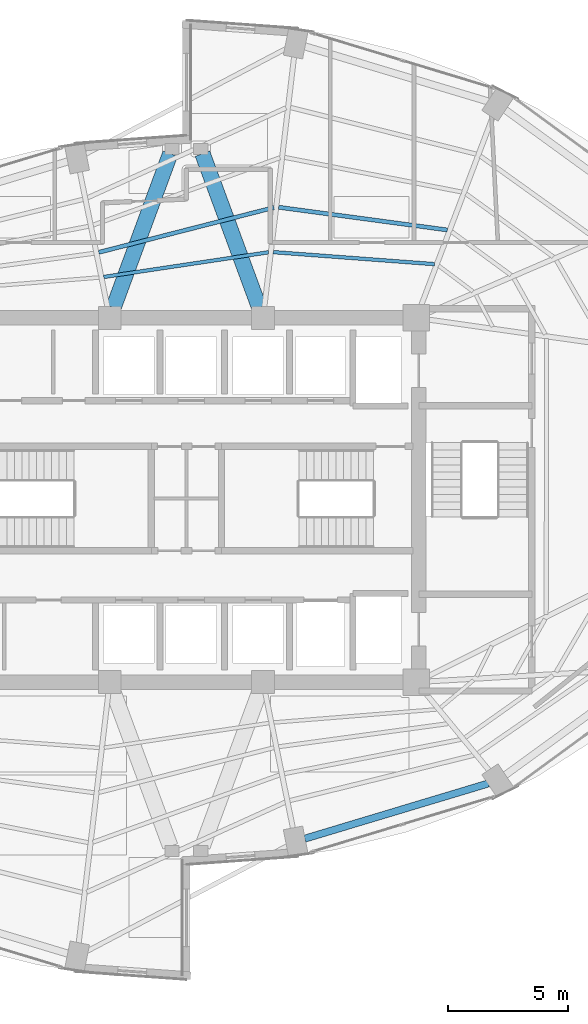
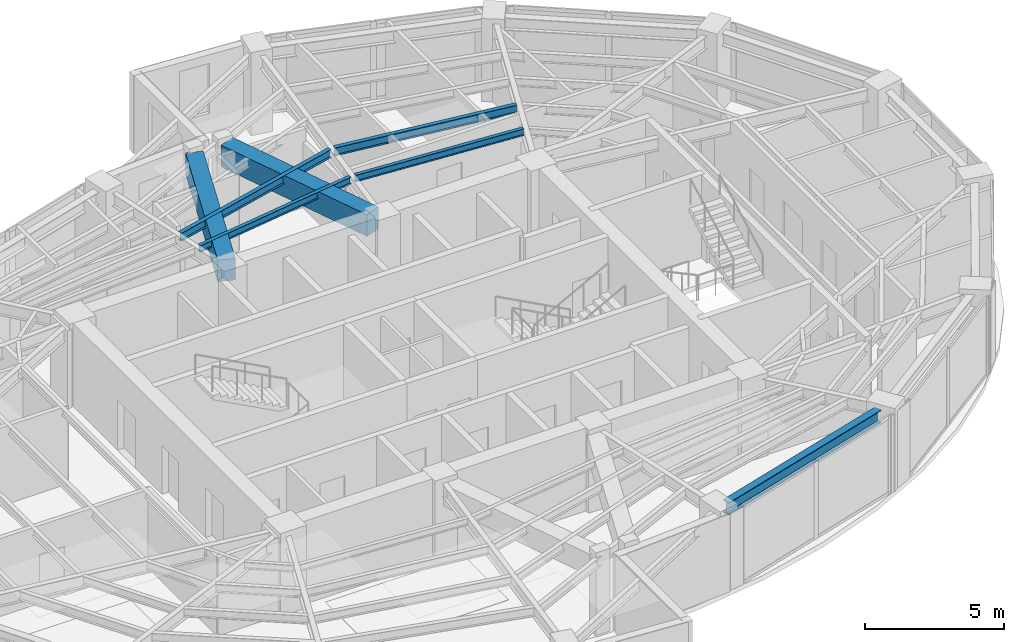
# One storey, part 8 of 20: 7 beams.
"""IFC4 building model written with IfcOpenShell, lengths in metres."""

from ifc_helpers import new_model, si_unit, direction, frame, origin, origin_2d, place, context, subcontext, project, spatial, rectangle, i_section, extrude, material, material_profile, profile_set, type_object, element, save


model = new_model("IFC4")

# Units and contexts
model_context = context("Model", 3, precision=1e-05, world=origin(), true_north=direction((0.0, 1.0)))
body_context = subcontext(model_context, "Body", "Model", "MODEL_VIEW")
ifc_project = project(units=[si_unit("LENGTHUNIT", "METRE"), si_unit("AREAUNIT", "SQUARE_METRE"), si_unit("VOLUMEUNIT", "CUBIC_METRE"), si_unit("PLANEANGLEUNIT", "RADIAN"), si_unit("MASSUNIT", "GRAM", prefix="KILO")], contexts=[model_context])

# Site, building, storey
site_placement = place(None, origin())
site = spatial("IfcSite", under=ifc_project, at=site_placement, CompositionType="ELEMENT")
building_placement = place(site_placement, origin())
building = spatial("IfcBuilding", under=site, at=building_placement, Name="Lazwardi Medical Tower", CompositionType="ELEMENT")
storey_placement = place(building_placement, frame((0.0, 0.0, 160.176025390625)))
storey = spatial("IfcBuildingStorey", under=building, at=storey_placement, Name="L41", CompositionType="ELEMENT", Elevation=160.176025390625)

# Beams
ifc_material_1 = material(Name="Concrete C60/75", Category="concrete")
ifc_material_profile_1 = material_profile(ifc_material_1, rectangle(XDim=0.64990234375, YDim=0.949951171875, at=origin_2d()), Name="RC 650x950")
ifc_profile_set_1 = profile_set([ifc_material_profile_1], Name="Concrete C60/75")
beam_type_1 = type_object("IfcBeamType", Name="BM-CB-RC2", PredefinedType="LINTEL", material=ifc_profile_set_1)
for number, where, z_axis, x_axis, name in (
    (1, (32.959228515625, 36.031494140625, 2.952880859375), (0.34601281054, 0.938229787921, 0.0), (-0.938229787921, 0.34601281054, 0.0), "Core coupling lintel CB-02 PL1 L41"),
    (2, (39.040771484375, 36.031494140625, 2.952880859375), (-0.34601281054, 0.938229787921, 0.0), (-0.938229787921, -0.34601281054, 0.0), "Core coupling lintel CB-02 PL2 L41"),
):
    element("IfcBeam", number, at=place(storey_placement, frame(where, z_axis=z_axis, x_axis=x_axis)), inside=storey, type_object=beam_type_1, Name=name, PredefinedType="LINTEL", context=body_context, shape_type="SweptSolid", body=[
        extrude(rectangle(XDim=0.64990234375, YDim=0.949951171875, at=origin_2d()), origin(), (0.0, 0.0, 1.0), 6.84423828125),
    ])
ifc_material_2 = material(Name="Steel S355", Category="steel")
ifc_material_profile_2 = material_profile(ifc_material_2, i_section(OverallWidth=0.300048828125, OverallDepth=0.550048828125, WebThickness=0.014892578125, FlangeThickness=0.029052734375, at=origin_2d()), Name="HEB 550")
ifc_profile_set_2 = profile_set([ifc_material_profile_2], Name="Steel S355")
beam_type_2 = type_object("IfcBeamType", Name="BM-RB-Z3", PredefinedType="BEAM", material=ifc_profile_set_2)
beam_1_placement = place(storey_placement, frame((40.943115234375, 13.866455078125, 3.153076171875), z_axis=(0.957616873483, 0.288045002771, 0.0), x_axis=(-0.288045002771, 0.957616873483, 0.0)))
element("IfcBeam", 3, at=beam_1_placement, inside=storey, type_object=beam_type_2, Name="Ring beam RB-04 B01 L41", PredefinedType="BEAM", context=body_context, shape_type="SweptSolid", body=[
    extrude(i_section(OverallWidth=0.300048828125, OverallDepth=0.550048828125, WebThickness=0.014892578125, FlangeThickness=0.029052734375, at=origin_2d()), origin(), (0.0, 0.0, 1.0), 7.99951171875),
])
ifc_material_profile_3 = material_profile(ifc_material_2, i_section(OverallWidth=0.169921875, OverallDepth=0.360107421875, WebThickness=0.008056640625, FlangeThickness=0.0126953125, at=origin_2d()), Name="IPE 360")
ifc_profile_set_3 = profile_set([ifc_material_profile_3], Name="Steel S355")
beam_type_3 = type_object("IfcBeamType", Name="BM-SJ-02", PredefinedType="JOIST", material=ifc_profile_set_3)
beam_2_placement = place(storey_placement, frame((46.889892578125, 39.269775390625, 3.248046875), z_axis=(-0.991056291961, 0.133444468468, 0.0), x_axis=(-0.133444468468, -0.991056291961, 0.0)))
element("IfcBeam", 4, at=beam_2_placement, inside=storey, type_object=beam_type_3, Name="Secondary joist SJ-02 R3 B07 L41", PredefinedType="JOIST", context=body_context, shape_type="SweptSolid", body=[
    extrude(i_section(OverallWidth=0.169921875, OverallDepth=0.360107421875, WebThickness=0.008056640625, FlangeThickness=0.0126953125, at=origin_2d()), origin(), (0.0, 0.0, 1.0), 7.10400390625),
])
beam_3_placement = place(storey_placement, frame((39.6533203125, 40.206298828125, 3.248046875), z_axis=(-0.96877632572, -0.247936344097, 0.0), x_axis=(0.247936344097, -0.96877632572, 0.0)))
element("IfcBeam", 5, at=beam_3_placement, inside=storey, type_object=beam_type_3, Name="Secondary joist SJ-02 R3 B08 L41", PredefinedType="JOIST", context=body_context, shape_type="SweptSolid", body=[
    extrude(i_section(OverallWidth=0.169921875, OverallDepth=0.360107421875, WebThickness=0.008056640625, FlangeThickness=0.0126953125, at=origin_2d()), origin(), (0.0, 0.0, 1.0), 7.546630859375),
])
ifc_material_profile_4 = material_profile(ifc_material_2, i_section(OverallWidth=0.14990234375, OverallDepth=0.300048828125, WebThickness=0.007080078125, FlangeThickness=0.0107421875, at=origin_2d()), Name="IPE 300")
ifc_profile_set_4 = profile_set([ifc_material_profile_4], Name="Steel S355")
beam_type_4 = type_object("IfcBeamType", Name="BM-SJ-03", PredefinedType="JOIST", material=ifc_profile_set_4)
beam_4_placement = place(storey_placement, frame((46.349609375, 37.843505859375, 3.278076171875), z_axis=(-0.99722699261, 0.074419924822, 0.0), x_axis=(-0.074419924822, -0.99722699261, 0.0)))
element("IfcBeam", 6, at=beam_4_placement, inside=storey, type_object=beam_type_4, Name="Secondary joist SJ-03 R4 B07 L41", PredefinedType="JOIST", context=body_context, shape_type="SweptSolid", body=[
    extrude(i_section(OverallWidth=0.14990234375, OverallDepth=0.300048828125, WebThickness=0.007080078125, FlangeThickness=0.0107421875, at=origin_2d()), origin(), (0.0, 0.0, 1.0), 6.74169921875),
])
beam_5_placement = place(storey_placement, frame((39.42822265625, 38.337890625, 3.278076171875), z_axis=(-0.98897469849, -0.148084589835, 0.0), x_axis=(0.148084589835, -0.98897469849, 0.0)))
element("IfcBeam", 7, at=beam_5_placement, inside=storey, type_object=beam_type_4, Name="Secondary joist SJ-03 R4 B08 L41", PredefinedType="JOIST", context=body_context, shape_type="SweptSolid", body=[
    extrude(i_section(OverallWidth=0.14990234375, OverallDepth=0.300048828125, WebThickness=0.007080078125, FlangeThickness=0.0107421875, at=origin_2d()), origin(), (0.0, 0.0, 1.0), 6.952392578125),
])

save(model, "model.ifc")
